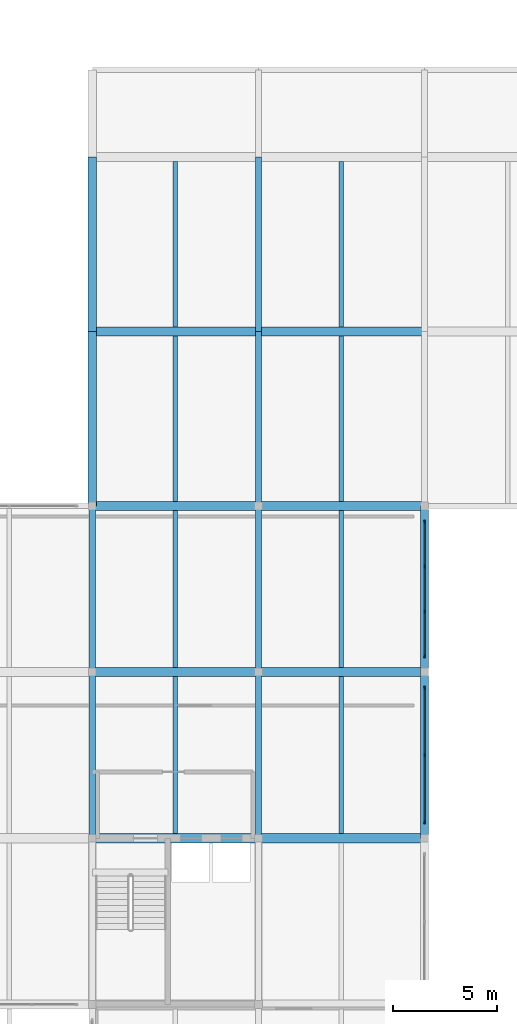
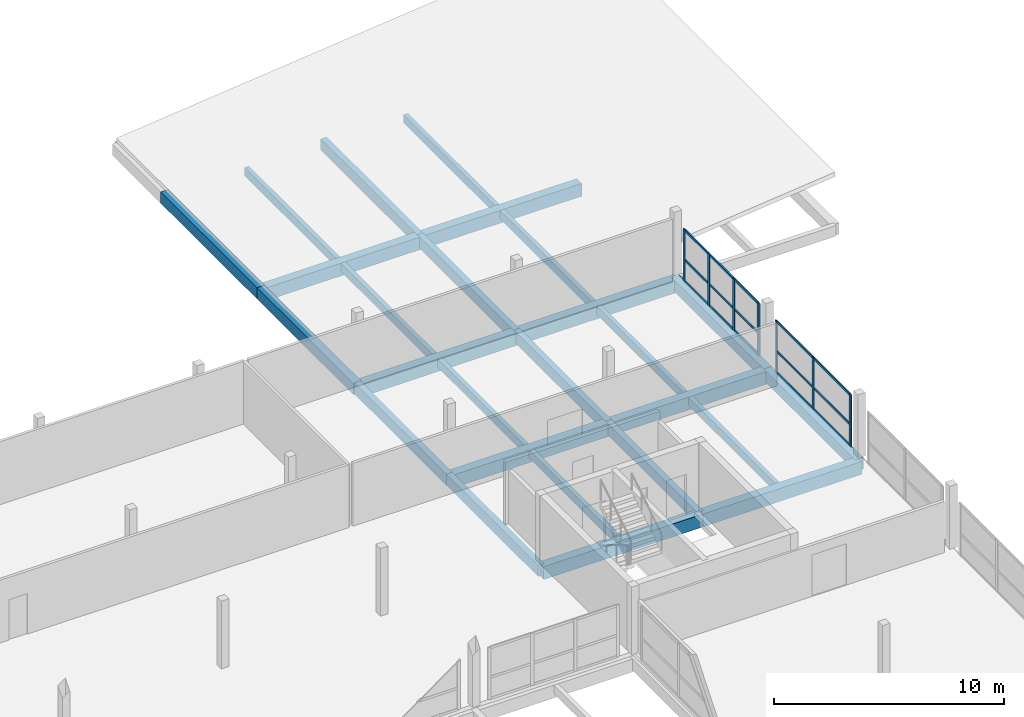
# One storey, part 16 of 34: 26 beams, 22 members, 2 elements without a shape of their own.
"""IFC4 building model written with IfcOpenShell, lengths in metres."""

import ifcopenshell
import ifcopenshell.guid

model = None  # the IFC model being written
_history = None  # IfcOwnerHistory: only IFC2X3 demands one
_inside = {}  # id of a spatial element -> (the spatial element, [elements in it])
_under = {}  # id of a project, library or spatial element -> (it, [spatial elements below it])
_declared = {}  # id of a project -> (the project, [libraries it declares])
_typed = {}  # id of a type object -> (the type object, [elements of that type])
_made_of = {}  # id of a material, layer set ... -> (it, [elements and type objects made of it])


def new_model(schema):
    """Start an empty IFC model of exactly this schema.

    Asked for "IFC4X3", IfcOpenShell would pick the latest addendum, in which some entities
    have other attributes; the version numbers below select the first issue.
    IFC2X3 requires an IfcOwnerHistory on every rooted entity: one is made here for all.
    """
    global model, _history
    if schema == "IFC4X3":
        model = ifcopenshell.file(schema_version=(4, 3, 0, 0))
    else:
        model = ifcopenshell.file(schema=schema)
    _inside.clear()
    _under.clear()
    _declared.clear()
    _typed.clear()
    _made_of.clear()
    _history = None
    if model.schema == "IFC2X3":
        org = make("IfcOrganization", Name="unknown")
        user = make(
            "IfcPersonAndOrganization",
            ThePerson=make("IfcPerson", FamilyName="unknown"),
            TheOrganization=org,
        )
        app = make(
            "IfcApplication",
            ApplicationDeveloper=org,
            Version="unknown",
            ApplicationFullName="unknown",
            ApplicationIdentifier="unknown",
        )
        _history = make(
            "IfcOwnerHistory",
            OwningUser=user,
            OwningApplication=app,
            ChangeAction="ADDED",
            CreationDate=0,
        )
    return model


def make(cls, **values):
    """One entity of the class cls with the attributes given. An attribute that is None is left unset."""
    return model.create_entity(
        cls, **{name: value for name, value in values.items() if value is not None}
    )


def rooted(cls, **values):
    """An entity with a GlobalId (a new one), such as an element, a storey or a relation."""
    return make(cls, GlobalId=ifcopenshell.guid.new(), OwnerHistory=_history, **values)


def si_unit(unit_type, name, prefix=None):
    """IfcSIUnit, for example si_unit("LENGTHUNIT", "METRE", prefix="MILLI")."""
    return make("IfcSIUnit", UnitType=unit_type, Prefix=prefix, Name=name)


def assignment(units):
    """IfcUnitAssignment: the units of a project."""
    return None if units is None else make("IfcUnitAssignment", Units=units)


def point(xyz):
    """IfcCartesianPoint."""
    return None if xyz is None else make("IfcCartesianPoint", Coordinates=xyz)


def direction(xyz):
    """IfcDirection."""
    return None if xyz is None else make("IfcDirection", DirectionRatios=xyz)


def frame(location, z_axis=None, x_axis=None):
    """IfcAxis2Placement3D, a coordinate frame: its origin and axes. An axis left out is left unset."""
    return make(
        "IfcAxis2Placement3D",
        Location=point(location),
        Axis=direction(z_axis),
        RefDirection=direction(x_axis),
    )


def frame_2d(location, x_axis=None):
    """IfcAxis2Placement2D, a coordinate frame in the plane: its origin and x axis."""
    return make(
        "IfcAxis2Placement2D", Location=point(location), RefDirection=direction(x_axis)
    )


def origin():
    """The frame at (0, 0, 0) with its axes left unset."""
    return frame((0.0, 0.0, 0.0))


def origin_2d():
    """The frame at (0, 0) in the plane with its x axis left unset."""
    return frame_2d((0.0, 0.0))


def place(relative_to, where):
    """IfcLocalPlacement: puts the frame where relative to a parent placement (None: the world)."""
    return make(
        "IfcLocalPlacement", PlacementRelTo=relative_to, RelativePlacement=where
    )


def context(
    kind, dimensions, precision=None, world=None, true_north=None, identifier=None
):
    """IfcGeometricRepresentationContext, for example the 3D "Model" context."""
    return make(
        "IfcGeometricRepresentationContext",
        ContextIdentifier=identifier,
        ContextType=kind,
        CoordinateSpaceDimension=dimensions,
        Precision=precision,
        WorldCoordinateSystem=world,
        TrueNorth=true_north,
    )


def subcontext(parent, identifier, kind, view, scale=None):
    """IfcGeometricRepresentationSubContext, for example "Body" below "Model"."""
    return make(
        "IfcGeometricRepresentationSubContext",
        ContextIdentifier=identifier,
        ContextType=kind,
        ParentContext=parent,
        TargetScale=scale,
        TargetView=view,
    )


def project(units=None, contexts=None):
    """IfcProject with its units and contexts."""
    return rooted(
        "IfcProject",
        Name="project",
        RepresentationContexts=contexts,
        UnitsInContext=assignment(units),
    )


def spatial(cls, under=None, at=None, **own):
    """A site, building, storey or space (cls), placed at a placement, below another one or the project."""
    s = rooted(cls, ObjectPlacement=at, **own)
    if under is not None:
        _under.setdefault(under.id(), (under, []))[1].append(s)
    return s


def profile(cls, at=None, kind="AREA", **sizes):
    """A parametric profile (cls). Its sizes go by their IFC names, for example OverallWidth=200.0."""
    return make(cls, ProfileType=kind, Position=at, **sizes)


def rectangle(**sizes):
    """IfcRectangleProfileDef."""
    return profile("IfcRectangleProfileDef", **sizes)


def extrude(swept, where, along, depth):
    """IfcExtrudedAreaSolid: the profile swept, set in the frame where, extruded along a direction by depth."""
    return make(
        "IfcExtrudedAreaSolid",
        SweptArea=swept,
        Position=where,
        ExtrudedDirection=direction(along),
        Depth=depth,
    )


def shape(context_of_items, identifier, shape_type, items):
    """IfcShapeRepresentation: the items that make up one representation, for example the "Body"."""
    return make(
        "IfcShapeRepresentation",
        ContextOfItems=context_of_items,
        RepresentationIdentifier=identifier,
        RepresentationType=shape_type,
        Items=items,
    )


def material(Name=None, Category=None):
    """IfcMaterial."""
    return make("IfcMaterial", Name=Name, Category=Category)


def material_profile(
    of_material, cross_section, Name=None, Category=None, Priority=None
):
    """IfcMaterialProfile: a cross section and its material."""
    return make(
        "IfcMaterialProfile",
        Name=Name,
        Material=of_material,
        Profile=cross_section,
        Priority=Priority,
        Category=Category,
    )


def profile_set(profiles, Name=None, composite=None):
    """IfcMaterialProfileSet."""
    return make(
        "IfcMaterialProfileSet",
        Name=Name,
        MaterialProfiles=profiles,
        CompositeProfile=composite,
    )


def made_of(thing, what):
    """Note that an element or type object is made of a material, layer set ...; save() writes the relation."""
    if what is not None:
        _made_of.setdefault(what.id(), (what, []))[1].append(thing)
    return thing


def type_object(cls, material=None, **own):
    """A type object (cls), such as IfcWallType, which elements share."""
    return made_of(rooted(cls, **own), material)


def element(
    cls,
    number,
    at=None,
    inside=None,
    cuts=None,
    type_object=None,
    material=None,
    context=None,
    identifier="Body",
    shape_type=None,
    held_by="IfcProductDefinitionShape",
    body=None,
    shapes=None,
    **own,
):
    """One element of the class cls, such as IfcWall. Its Tag is "e" and its number.

    at: its placement. inside: the storey or other place that contains it. cuts: it is an
    opening in that element (IfcRelVoidsElement). A single representation is given by context,
    identifier, shape_type and body (its items); several are given by shapes. held_by: the class
    of the entity that holds the representations. save() writes the other relations.
    """
    e = rooted(cls, Tag="e%d" % number, ObjectPlacement=at, **own)
    if body is not None:
        shapes = [shape(context, identifier, shape_type, body)]
    if shapes is not None:
        e.Representation = make(held_by, Representations=shapes)
    if inside is not None:
        _inside.setdefault(inside.id(), (inside, []))[1].append(e)
    if cuts is not None:
        rooted(
            "IfcRelVoidsElement", RelatingBuildingElement=cuts, RelatedOpeningElement=e
        )
    if type_object is not None:
        _typed.setdefault(type_object.id(), (type_object, []))[1].append(e)
    return made_of(e, material)


def aggregate(whole, parts):
    """IfcRelAggregates: a whole, such as a stair, and the parts it consists of."""
    return rooted("IfcRelAggregates", RelatingObject=whole, RelatedObjects=parts)


def save(model, path):
    """Write the relations noted so far, then the file.

    IfcRelAggregates (storeys below a building ...), IfcRelContainedInSpatialStructure (elements
    in a storey), IfcRelDefinesByType, IfcRelAssociatesMaterial and IfcRelDeclares: one each for
    every whole, place, type object, material and project.
    """
    for whole, parts in _under.values():
        aggregate(whole, parts)
    for where, things in _inside.values():
        rooted(
            "IfcRelContainedInSpatialStructure",
            RelatedElements=things,
            RelatingStructure=where,
        )
    for kind, things in _typed.values():
        rooted("IfcRelDefinesByType", RelatedObjects=things, RelatingType=kind)
    for what, things in _made_of.values():
        rooted("IfcRelAssociatesMaterial", RelatedObjects=things, RelatingMaterial=what)
    for by, libraries in _declared.values():
        rooted("IfcRelDeclares", RelatingContext=by, RelatedDefinitions=libraries)
    model.write(path)


model = new_model("IFC4")

# Units and contexts
model_context = context("Model", 3, precision=1e-05, world=origin(), true_north=direction((0.0, 1.0)))
body_context = subcontext(model_context, "Body", "Model", "MODEL_VIEW")
ifc_project = project(units=[si_unit("LENGTHUNIT", "METRE"), si_unit("AREAUNIT", "SQUARE_METRE"), si_unit("VOLUMEUNIT", "CUBIC_METRE"), si_unit("PLANEANGLEUNIT", "RADIAN"), si_unit("MASSUNIT", "GRAM", prefix="KILO")], contexts=[model_context])

# Site, building, storey
site_placement = place(None, origin())
site = spatial("IfcSite", under=ifc_project, at=site_placement, CompositionType="ELEMENT")
building_placement = place(site_placement, origin())
building = spatial("IfcBuilding", under=site, at=building_placement, Name="Vharandega Faculty of Natural Sciences", CompositionType="ELEMENT")
storey_placement = place(building_placement, frame((0.0, 0.0, 21.60009765625)))
storey = spatial("IfcBuildingStorey", under=building, at=storey_placement, Name="L05", CompositionType="ELEMENT", Elevation=21.60009765625)

# Curtain wall, members
ifc_material_1 = material(Name="Aluminium and solar-control glass curtain wall", Category="aluminium")
curtain_wall_type_1 = type_object("IfcCurtainWallType", Name="Unitised Curtain Wall System CW-04", PredefinedType="NOTDEFINED", material=ifc_material_1)
curtain_wall_1_placement = place(storey_placement, origin())
curtain_wall_1 = element("IfcCurtainWall", 1, at=curtain_wall_1_placement, inside=storey, type_object=curtain_wall_type_1, Name="Curtain Wall CW-L05-199", PredefinedType="NOTDEFINED")
ifc_material_2 = material(Name="Thermally broken aluminium 6063-T6", Category="aluminium")
ifc_material_profile_1 = material_profile(ifc_material_2, rectangle(XDim=0.06005859375, YDim=0.159912109375, at=origin_2d()), Name="ALU 60x160")
ifc_profile_set_1 = profile_set([ifc_material_profile_1], Name="Thermally broken aluminium 6063-T6")
member_type_1 = type_object("IfcMemberType", Name="CW Mullion 60x160", PredefinedType="MULLION", material=ifc_profile_set_1)
member_1_placement = place(storey_placement, frame((48.0, 48.77001953125, 0.0), z_axis=(0.0, 0.0, 1.0), x_axis=(-1.0, 0.0, 0.0)))
member_1 = element("IfcMember", 2, at=member_1_placement, type_object=member_type_1, Name="CW-04 mullion 1", PredefinedType="MULLION", context=body_context, shape_type="SweptSolid", body=[
    extrude(rectangle(XDim=0.06005859375, YDim=0.159912109375, at=origin_2d()), origin(), (0.0, 0.0, 1.0), 2.760009765625),
])
member_2_placement = place(storey_placement, frame((48.0, 52.0, 0.0), z_axis=(0.0, 0.0, 1.0), x_axis=(-1.0, 0.0, 0.0)))
member_2 = element("IfcMember", 3, at=member_2_placement, type_object=member_type_1, Name="CW-04 mullion 2", PredefinedType="MULLION", context=body_context, shape_type="SweptSolid", body=[
    extrude(rectangle(XDim=0.06005859375, YDim=0.159912109375, at=origin_2d()), origin(), (0.0, 0.0, 1.0), 2.760009765625),
])
member_3_placement = place(storey_placement, frame((48.0, 55.22998046875, 0.0), z_axis=(0.0, 0.0, 1.0), x_axis=(-1.0, 0.0, 0.0)))
member_3 = element("IfcMember", 4, at=member_3_placement, type_object=member_type_1, Name="CW-04 mullion 3", PredefinedType="MULLION", context=body_context, shape_type="SweptSolid", body=[
    extrude(rectangle(XDim=0.06005859375, YDim=0.159912109375, at=origin_2d()), origin(), (0.0, 0.0, 1.0), 2.760009765625),
])

ifc_material_3 = material(Name="Aluminium and solar-control glass curtain wall", Category="aluminium")
curtain_wall_type_2 = type_object("IfcCurtainWallType", Name="Unitised Curtain Wall System CW-05", PredefinedType="NOTDEFINED", material=ifc_material_3)
curtain_wall_2_placement = place(storey_placement, origin())
curtain_wall_2 = element("IfcCurtainWall", 5, at=curtain_wall_2_placement, inside=storey, type_object=curtain_wall_type_2, Name="Curtain Wall CW-L05-200", PredefinedType="NOTDEFINED")
member_4_placement = place(storey_placement, frame((48.0, 56.77001953125, 0.0), z_axis=(0.0, 0.0, 1.0), x_axis=(-1.0, 0.0, 0.0)))
member_4 = element("IfcMember", 6, at=member_4_placement, type_object=member_type_1, Name="CW-05 mullion 1", PredefinedType="MULLION", context=body_context, shape_type="SweptSolid", body=[
    extrude(rectangle(XDim=0.06005859375, YDim=0.159912109375, at=origin_2d()), origin(), (0.0, 0.0, 1.0), 2.760009765625),
])
member_5_placement = place(storey_placement, frame((48.0, 58.913330078125, 0.0), z_axis=(0.0, 0.0, 1.0), x_axis=(-1.0, 0.0, 0.0)))
member_5 = element("IfcMember", 7, at=member_5_placement, type_object=member_type_1, Name="CW-05 mullion 2", PredefinedType="MULLION", context=body_context, shape_type="SweptSolid", body=[
    extrude(rectangle(XDim=0.06005859375, YDim=0.159912109375, at=origin_2d()), origin(), (0.0, 0.0, 1.0), 2.760009765625),
])
member_6_placement = place(storey_placement, frame((48.0, 61.086669921875, 0.0), z_axis=(0.0, 0.0, 1.0), x_axis=(-1.0, 0.0, 0.0)))
member_6 = element("IfcMember", 8, at=member_6_placement, type_object=member_type_1, Name="CW-05 mullion 3", PredefinedType="MULLION", context=body_context, shape_type="SweptSolid", body=[
    extrude(rectangle(XDim=0.06005859375, YDim=0.159912109375, at=origin_2d()), origin(), (0.0, 0.0, 1.0), 2.760009765625),
])
member_7_placement = place(storey_placement, frame((48.0, 63.22998046875, 0.0), z_axis=(0.0, 0.0, 1.0), x_axis=(-1.0, 0.0, 0.0)))
member_7 = element("IfcMember", 9, at=member_7_placement, type_object=member_type_1, Name="CW-05 mullion 4", PredefinedType="MULLION", context=body_context, shape_type="SweptSolid", body=[
    extrude(rectangle(XDim=0.06005859375, YDim=0.159912109375, at=origin_2d()), origin(), (0.0, 0.0, 1.0), 2.760009765625),
])

# Member
ifc_material_4 = material(Name="Thermally broken aluminium 6063-T6", Category="aluminium")
ifc_material_profile_2 = material_profile(ifc_material_4, rectangle(XDim=0.06005859375, YDim=0.1201171875, at=origin_2d()), Name="ALU 60x120")
ifc_profile_set_2 = profile_set([ifc_material_profile_2], Name="Thermally broken aluminium 6063-T6")
member_type_2 = type_object("IfcMemberType", Name="CW Transom 60x120", PredefinedType="USERDEFINED", material=ifc_profile_set_2)
member_8_placement = place(storey_placement, frame((48.0, 48.800048828125, 0.02978515625), z_axis=(0.0, 1.0, 0.0), x_axis=(-1.0, 0.0, 0.0)))
member_8 = element("IfcMember", 10, at=member_8_placement, type_object=member_type_2, Name="CW-04 transom 1.1", ObjectType="TRANSOM", PredefinedType="USERDEFINED", context=body_context, shape_type="SweptSolid", body=[
    extrude(rectangle(XDim=0.06005859375, YDim=0.1201171875, at=origin_2d()), origin(), (0.0, 0.0, 1.0), 3.169921875),
])

member_9_placement = place(storey_placement, frame((48.0, 48.800048828125, 1.1591796875), z_axis=(0.0, 1.0, 0.0), x_axis=(-1.0, 0.0, 0.0)))
member_9 = element("IfcMember", 11, at=member_9_placement, type_object=member_type_2, Name="CW-04 transom 1.2", ObjectType="TRANSOM", PredefinedType="USERDEFINED", context=body_context, shape_type="SweptSolid", body=[
    extrude(rectangle(XDim=0.06005859375, YDim=0.1201171875, at=origin_2d()), origin(), (0.0, 0.0, 1.0), 3.169921875),
])

member_10_placement = place(storey_placement, frame((48.0, 48.800048828125, 2.72998046875), z_axis=(0.0, 1.0, 0.0), x_axis=(-1.0, 0.0, 0.0)))
member_10 = element("IfcMember", 12, at=member_10_placement, type_object=member_type_2, Name="CW-04 transom 1.3", ObjectType="TRANSOM", PredefinedType="USERDEFINED", context=body_context, shape_type="SweptSolid", body=[
    extrude(rectangle(XDim=0.06005859375, YDim=0.1201171875, at=origin_2d()), origin(), (0.0, 0.0, 1.0), 3.169921875),
])

member_11_placement = place(storey_placement, frame((48.0, 52.030029296875, 0.02978515625), z_axis=(0.0, 1.0, 0.0), x_axis=(-1.0, 0.0, 0.0)))
member_11 = element("IfcMember", 13, at=member_11_placement, type_object=member_type_2, Name="CW-04 transom 2.1", ObjectType="TRANSOM", PredefinedType="USERDEFINED", context=body_context, shape_type="SweptSolid", body=[
    extrude(rectangle(XDim=0.06005859375, YDim=0.1201171875, at=origin_2d()), origin(), (0.0, 0.0, 1.0), 3.169921875),
])

member_12_placement = place(storey_placement, frame((48.0, 52.030029296875, 1.1591796875), z_axis=(0.0, 1.0, 0.0), x_axis=(-1.0, 0.0, 0.0)))
member_12 = element("IfcMember", 14, at=member_12_placement, type_object=member_type_2, Name="CW-04 transom 2.2", ObjectType="TRANSOM", PredefinedType="USERDEFINED", context=body_context, shape_type="SweptSolid", body=[
    extrude(rectangle(XDim=0.06005859375, YDim=0.1201171875, at=origin_2d()), origin(), (0.0, 0.0, 1.0), 3.169921875),
])

member_13_placement = place(storey_placement, frame((48.0, 52.030029296875, 2.72998046875), z_axis=(0.0, 1.0, 0.0), x_axis=(-1.0, 0.0, 0.0)))
member_13 = element("IfcMember", 15, at=member_13_placement, type_object=member_type_2, Name="CW-04 transom 2.3", ObjectType="TRANSOM", PredefinedType="USERDEFINED", context=body_context, shape_type="SweptSolid", body=[
    extrude(rectangle(XDim=0.06005859375, YDim=0.1201171875, at=origin_2d()), origin(), (0.0, 0.0, 1.0), 3.169921875),
])

aggregate(curtain_wall_1, [member_1, member_2, member_3, member_8, member_9, member_10, member_11, member_12, member_13])

member_14_placement = place(storey_placement, frame((48.0, 56.800048828125, 0.02978515625), z_axis=(0.0, 1.0, 0.0), x_axis=(-1.0, 0.0, 0.0)))
member_14 = element("IfcMember", 16, at=member_14_placement, type_object=member_type_2, Name="CW-05 transom 1.1", ObjectType="TRANSOM", PredefinedType="USERDEFINED", context=body_context, shape_type="SweptSolid", body=[
    extrude(rectangle(XDim=0.06005859375, YDim=0.1201171875, at=origin_2d()), origin(), (0.0, 0.0, 1.0), 2.083251953125),
])

member_15_placement = place(storey_placement, frame((48.0, 56.800048828125, 1.1591796875), z_axis=(0.0, 1.0, 0.0), x_axis=(-1.0, 0.0, 0.0)))
member_15 = element("IfcMember", 17, at=member_15_placement, type_object=member_type_2, Name="CW-05 transom 1.2", ObjectType="TRANSOM", PredefinedType="USERDEFINED", context=body_context, shape_type="SweptSolid", body=[
    extrude(rectangle(XDim=0.06005859375, YDim=0.1201171875, at=origin_2d()), origin(), (0.0, 0.0, 1.0), 2.083251953125),
])

member_16_placement = place(storey_placement, frame((48.0, 56.800048828125, 2.72998046875), z_axis=(0.0, 1.0, 0.0), x_axis=(-1.0, 0.0, 0.0)))
member_16 = element("IfcMember", 18, at=member_16_placement, type_object=member_type_2, Name="CW-05 transom 1.3", ObjectType="TRANSOM", PredefinedType="USERDEFINED", context=body_context, shape_type="SweptSolid", body=[
    extrude(rectangle(XDim=0.06005859375, YDim=0.1201171875, at=origin_2d()), origin(), (0.0, 0.0, 1.0), 2.083251953125),
])

member_17_placement = place(storey_placement, frame((48.0, 58.943359375, 0.02978515625), z_axis=(0.0, 1.0, 0.0), x_axis=(-1.0, 0.0, 0.0)))
member_17 = element("IfcMember", 19, at=member_17_placement, type_object=member_type_2, Name="CW-05 transom 2.1", ObjectType="TRANSOM", PredefinedType="USERDEFINED", context=body_context, shape_type="SweptSolid", body=[
    extrude(rectangle(XDim=0.06005859375, YDim=0.1201171875, at=origin_2d()), origin(), (0.0, 0.0, 1.0), 2.11328125),
])

member_18_placement = place(storey_placement, frame((48.0, 58.943359375, 1.1591796875), z_axis=(0.0, 1.0, 0.0), x_axis=(-1.0, 0.0, 0.0)))
member_18 = element("IfcMember", 20, at=member_18_placement, type_object=member_type_2, Name="CW-05 transom 2.2", ObjectType="TRANSOM", PredefinedType="USERDEFINED", context=body_context, shape_type="SweptSolid", body=[
    extrude(rectangle(XDim=0.06005859375, YDim=0.1201171875, at=origin_2d()), origin(), (0.0, 0.0, 1.0), 2.11328125),
])

member_19_placement = place(storey_placement, frame((48.0, 58.943359375, 2.72998046875), z_axis=(0.0, 1.0, 0.0), x_axis=(-1.0, 0.0, 0.0)))
member_19 = element("IfcMember", 21, at=member_19_placement, type_object=member_type_2, Name="CW-05 transom 2.3", ObjectType="TRANSOM", PredefinedType="USERDEFINED", context=body_context, shape_type="SweptSolid", body=[
    extrude(rectangle(XDim=0.06005859375, YDim=0.1201171875, at=origin_2d()), origin(), (0.0, 0.0, 1.0), 2.11328125),
])

member_20_placement = place(storey_placement, frame((48.0, 61.11669921875, 0.02978515625), z_axis=(0.0, 1.0, 0.0), x_axis=(-1.0, 0.0, 0.0)))
member_20 = element("IfcMember", 22, at=member_20_placement, type_object=member_type_2, Name="CW-05 transom 3.1", ObjectType="TRANSOM", PredefinedType="USERDEFINED", context=body_context, shape_type="SweptSolid", body=[
    extrude(rectangle(XDim=0.06005859375, YDim=0.1201171875, at=origin_2d()), origin(), (0.0, 0.0, 1.0), 2.083251953125),
])

member_21_placement = place(storey_placement, frame((48.0, 61.11669921875, 1.1591796875), z_axis=(0.0, 1.0, 0.0), x_axis=(-1.0, 0.0, 0.0)))
member_21 = element("IfcMember", 23, at=member_21_placement, type_object=member_type_2, Name="CW-05 transom 3.2", ObjectType="TRANSOM", PredefinedType="USERDEFINED", context=body_context, shape_type="SweptSolid", body=[
    extrude(rectangle(XDim=0.06005859375, YDim=0.1201171875, at=origin_2d()), origin(), (0.0, 0.0, 1.0), 2.083251953125),
])

member_22_placement = place(storey_placement, frame((48.0, 61.11669921875, 2.72998046875), z_axis=(0.0, 1.0, 0.0), x_axis=(-1.0, 0.0, 0.0)))
member_22 = element("IfcMember", 24, at=member_22_placement, type_object=member_type_2, Name="CW-05 transom 3.3", ObjectType="TRANSOM", PredefinedType="USERDEFINED", context=body_context, shape_type="SweptSolid", body=[
    extrude(rectangle(XDim=0.06005859375, YDim=0.1201171875, at=origin_2d()), origin(), (0.0, 0.0, 1.0), 2.083251953125),
])

aggregate(curtain_wall_2, [member_4, member_5, member_6, member_7, member_14, member_15, member_16, member_17, member_18, member_19, member_20, member_21, member_22])

# Beams
ifc_material_5 = material(Name="Glulam GL28h", Category="wood")
ifc_material_profile_3 = material_profile(ifc_material_5, rectangle(XDim=0.300048828125, YDim=0.60009765625, at=origin_2d()), Name="GL28h 300x600")
ifc_profile_set_3 = profile_set([ifc_material_profile_3], Name="Glulam GL28h")
beam_type_1 = type_object("IfcBeamType", Name="Glulam Floor Beam 300x600", PredefinedType="BEAM", material=ifc_profile_set_3)
for number, where, z_axis, x_axis, name in (
    (25, (32.0, 48.0, -0.52001953125), (0.0, 1.0, 0.0), (-1.0, 0.0, 0.0), "Beam L05 5/G-H"),
    (26, (32.0, 56.0, -0.52001953125), (0.0, 1.0, 0.0), (-1.0, 0.0, 0.0), "Beam L05 5/H-J"),
    (27, (40.0, 48.0, -0.52001953125), (0.0, 1.0, 0.0), (-1.0, 0.0, 0.0), "Beam L05 6/G-H"),
    (28, (40.0, 56.0, -0.52001953125), (0.0, 1.0, 0.0), (-1.0, 0.0, 0.0), "Beam L05 6/H-J"),
):
    element("IfcBeam", number, at=place(storey_placement, frame(where, z_axis=z_axis, x_axis=x_axis)), inside=storey, type_object=beam_type_1, Name=name, PredefinedType="BEAM", context=body_context, shape_type="SweptSolid", body=[
        extrude(rectangle(XDim=0.300048828125, YDim=0.60009765625, at=origin_2d()), origin(), (0.0, 0.0, 1.0), 8.0),
    ])
beam_1_placement = place(storey_placement, frame((40.0, 64.0, -0.5400390625), z_axis=(0.0, 1.0, 0.0), x_axis=(-1.0, 0.0, 0.0)))
element("IfcBeam", 29, at=beam_1_placement, inside=storey, type_object=beam_type_1, Name="Beam L05 6/J-K", PredefinedType="BEAM", context=body_context, shape_type="SweptSolid", body=[
    extrude(rectangle(XDim=0.300048828125, YDim=0.60009765625, at=origin_2d()), origin(), (0.0, 0.0, 1.0), 8.39990234375),
])
beam_2_placement = place(storey_placement, frame((40.0, 72.39990234375, -0.5400390625), z_axis=(0.0, 1.0, 0.0), x_axis=(-1.0, 0.0, 0.0)))
element("IfcBeam", 30, at=beam_2_placement, inside=storey, type_object=beam_type_1, Name="Beam L05 6/K-L", PredefinedType="BEAM", context=body_context, shape_type="SweptSolid", body=[
    extrude(rectangle(XDim=0.300048828125, YDim=0.60009765625, at=origin_2d()), origin(), (0.0, 0.0, 1.0), 8.400146484375),
])
ifc_material_6 = material(Name="Glulam GL32h", Category="wood")
ifc_material_profile_4 = material_profile(ifc_material_6, rectangle(XDim=0.43994140625, YDim=0.679931640625, at=origin_2d()), Name="GL32h 440x680")
ifc_profile_set_4 = profile_set([ifc_material_profile_4], Name="Glulam GL32h")
beam_type_2 = type_object("IfcBeamType", Name="Glulam Girder 440x680", PredefinedType="BEAM", material=ifc_profile_set_4)
for number, where, z_axis, x_axis, name in (
    (31, (32.0, 48.0, -0.56005859375), (1.0, 0.0, 0.0), (0.0, 1.0, 0.0), "Beam L05 G/5-6"),
    (32, (40.0, 48.0, -0.56005859375), (1.0, 0.0, 0.0), (0.0, 1.0, 0.0), "Beam L05 G/6-7"),
    (33, (32.0, 56.0, -0.56005859375), (1.0, 0.0, 0.0), (0.0, 1.0, 0.0), "Beam L05 H/5-6"),
    (34, (40.0, 56.0, -0.56005859375), (1.0, 0.0, 0.0), (0.0, 1.0, 0.0), "Beam L05 H/6-7"),
    (35, (32.0, 64.0, -0.580078125), (1.0, 0.0, 0.0), (0.0, 1.0, 0.0), "Beam L05 J/5-6"),
    (36, (40.0, 64.0, -0.580078125), (1.0, 0.0, 0.0), (0.0, 1.0, 0.0), "Beam L05 J/6-7"),
    (37, (32.0, 72.39990234375, -0.580078125), (1.0, 0.0, 0.0), (0.0, 1.0, 0.0), "Beam L05 K/5-6"),
    (38, (40.0, 72.39990234375, -0.580078125), (1.0, 0.0, 0.0), (0.0, 1.0, 0.0), "Beam L05 K/6-7"),
):
    element("IfcBeam", number, at=place(storey_placement, frame(where, z_axis=z_axis, x_axis=x_axis)), inside=storey, type_object=beam_type_2, Name=name, PredefinedType="BEAM", context=body_context, shape_type="SweptSolid", body=[
        extrude(rectangle(XDim=0.43994140625, YDim=0.679931640625, at=origin_2d()), origin(), (0.0, 0.0, 1.0), 8.0),
    ])
ifc_material_7 = material(Name="Glulam GL28h", Category="wood")
ifc_material_profile_5 = material_profile(ifc_material_7, rectangle(XDim=0.219970703125, YDim=0.43994140625, at=origin_2d()), Name="GL28h 220x440")
ifc_profile_set_5 = profile_set([ifc_material_profile_5], Name="Glulam GL28h")
beam_type_3 = type_object("IfcBeamType", Name="Glulam Secondary Joist 220x440", PredefinedType="JOIST", material=ifc_profile_set_5)
for number, where, z_axis, x_axis, name in (
    (39, (36.0, 48.219970703125, -0.440185546875), (0.0, 1.0, 0.0), (-1.0, 0.0, 0.0), "Secondary Joist L05 5-6/G-H"),
    (40, (36.0, 56.219970703125, -0.440185546875), (0.0, 1.0, 0.0), (-1.0, 0.0, 0.0), "Secondary Joist L05 5-6/H-J"),
):
    element("IfcBeam", number, at=place(storey_placement, frame(where, z_axis=z_axis, x_axis=x_axis)), inside=storey, type_object=beam_type_3, Name=name, PredefinedType="JOIST", context=body_context, shape_type="SweptSolid", body=[
        extrude(rectangle(XDim=0.219970703125, YDim=0.43994140625, at=origin_2d()), origin(), (0.0, 0.0, 1.0), 7.56005859375),
    ])
for number, where, z_axis, x_axis, name in (
    (41, (36.0, 64.219970703125, -0.460205078125), (0.0, 1.0, 0.0), (-1.0, 0.0, 0.0), "Secondary Joist L05 5-6/J-K"),
    (42, (36.0, 72.6201171875, -0.460205078125), (0.0, 1.0, 0.0), (-1.0, 0.0, 0.0), "Secondary Joist L05 5-6/K-L"),
):
    element("IfcBeam", number, at=place(storey_placement, frame(where, z_axis=z_axis, x_axis=x_axis)), inside=storey, type_object=beam_type_3, Name=name, PredefinedType="JOIST", context=body_context, shape_type="SweptSolid", body=[
        extrude(rectangle(XDim=0.219970703125, YDim=0.43994140625, at=origin_2d()), origin(), (0.0, 0.0, 1.0), 7.9599609375),
    ])
for number, where, z_axis, x_axis, name in (
    (43, (44.0, 48.219970703125, -0.440185546875), (0.0, 1.0, 0.0), (-1.0, 0.0, 0.0), "Secondary Joist L05 6-7/G-H"),
    (44, (44.0, 56.219970703125, -0.440185546875), (0.0, 1.0, 0.0), (-1.0, 0.0, 0.0), "Secondary Joist L05 6-7/H-J"),
):
    element("IfcBeam", number, at=place(storey_placement, frame(where, z_axis=z_axis, x_axis=x_axis)), inside=storey, type_object=beam_type_3, Name=name, PredefinedType="JOIST", context=body_context, shape_type="SweptSolid", body=[
        extrude(rectangle(XDim=0.219970703125, YDim=0.43994140625, at=origin_2d()), origin(), (0.0, 0.0, 1.0), 7.56005859375),
    ])
for number, where, z_axis, x_axis, name in (
    (45, (44.0, 64.219970703125, -0.460205078125), (0.0, 1.0, 0.0), (-1.0, 0.0, 0.0), "Secondary Joist L05 6-7/J-K"),
    (46, (44.0, 72.6201171875, -0.460205078125), (0.0, 1.0, 0.0), (-1.0, 0.0, 0.0), "Secondary Joist L05 6-7/K-L"),
):
    element("IfcBeam", number, at=place(storey_placement, frame(where, z_axis=z_axis, x_axis=x_axis)), inside=storey, type_object=beam_type_3, Name=name, PredefinedType="JOIST", context=body_context, shape_type="SweptSolid", body=[
        extrude(rectangle(XDim=0.219970703125, YDim=0.43994140625, at=origin_2d()), origin(), (0.0, 0.0, 1.0), 7.9599609375),
    ])
ifc_material_8 = material(Name="Glulam GL32h", Category="wood")
ifc_material_profile_6 = material_profile(ifc_material_8, rectangle(XDim=0.39990234375, YDim=0.60009765625, at=origin_2d()), Name="GL32h 400x600")
ifc_profile_set_6 = profile_set([ifc_material_profile_6], Name="Glulam GL32h")
beam_type_4 = type_object("IfcBeamType", Name="Glulam Spine Girder 400x600", PredefinedType="BEAM", material=ifc_profile_set_6)
beam_3_placement = place(storey_placement, frame((32.0, 64.0, -0.5400390625), z_axis=(0.0, 1.0, 0.0), x_axis=(-1.0, 0.0, 0.0)))
element("IfcBeam", 47, at=beam_3_placement, inside=storey, type_object=beam_type_4, Name="Beam L05 5/J-K", PredefinedType="BEAM", context=body_context, shape_type="SweptSolid", body=[
    extrude(rectangle(XDim=0.39990234375, YDim=0.60009765625, at=origin_2d()), origin(), (0.0, 0.0, 1.0), 8.39990234375),
])
beam_4_placement = place(storey_placement, frame((32.0, 72.39990234375, -0.5400390625), z_axis=(0.0, 1.0, 0.0), x_axis=(-1.0, 0.0, 0.0)))
element("IfcBeam", 48, at=beam_4_placement, inside=storey, type_object=beam_type_4, Name="Beam L05 5/K-L", PredefinedType="BEAM", context=body_context, shape_type="SweptSolid", body=[
    extrude(rectangle(XDim=0.39990234375, YDim=0.60009765625, at=origin_2d()), origin(), (0.0, 0.0, 1.0), 8.400146484375),
])
for number, where, z_axis, x_axis, name in (
    (49, (48.0, 48.0, -0.52001953125), (0.0, 1.0, 0.0), (-1.0, 0.0, 0.0), "Beam L05 7/G-H"),
    (50, (48.0, 56.0, -0.52001953125), (0.0, 1.0, 0.0), (-1.0, 0.0, 0.0), "Beam L05 7/H-J"),
):
    element("IfcBeam", number, at=place(storey_placement, frame(where, z_axis=z_axis, x_axis=x_axis)), inside=storey, type_object=beam_type_4, Name=name, PredefinedType="BEAM", context=body_context, shape_type="SweptSolid", body=[
        extrude(rectangle(XDim=0.39990234375, YDim=0.60009765625, at=origin_2d()), origin(), (0.0, 0.0, 1.0), 8.0),
    ])

save(model, "model.ifc")
